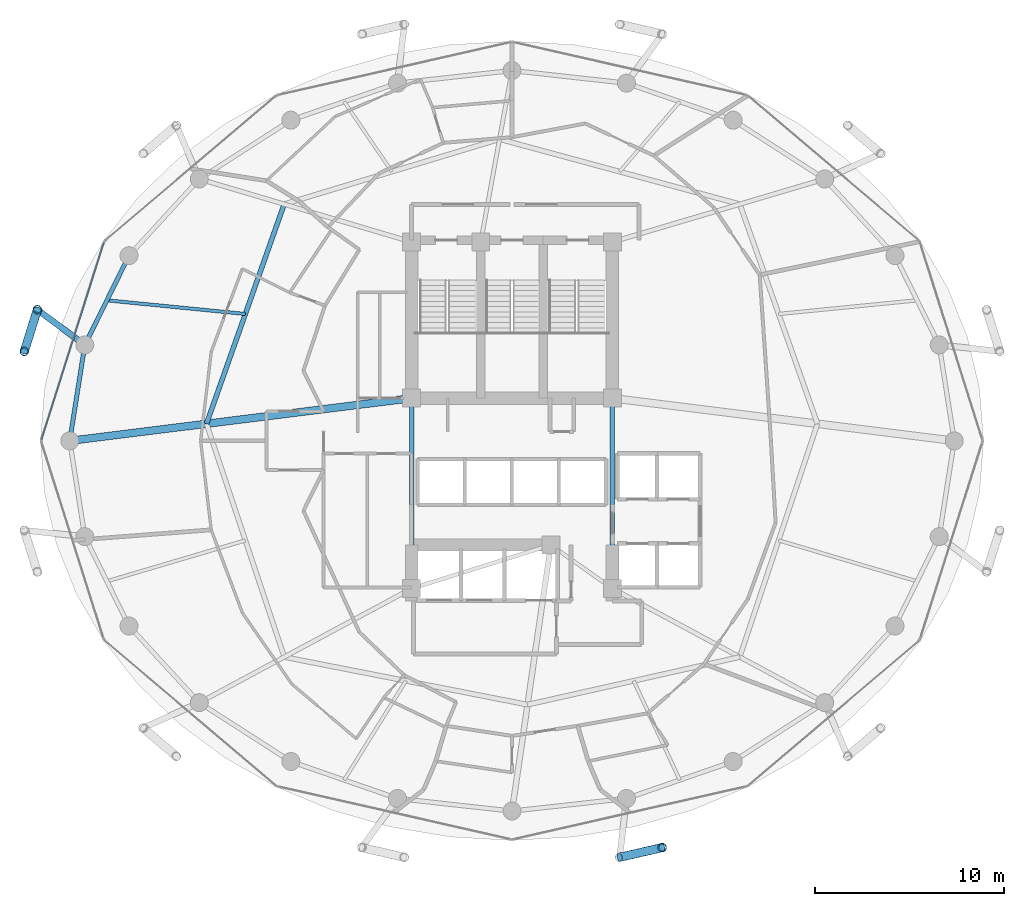
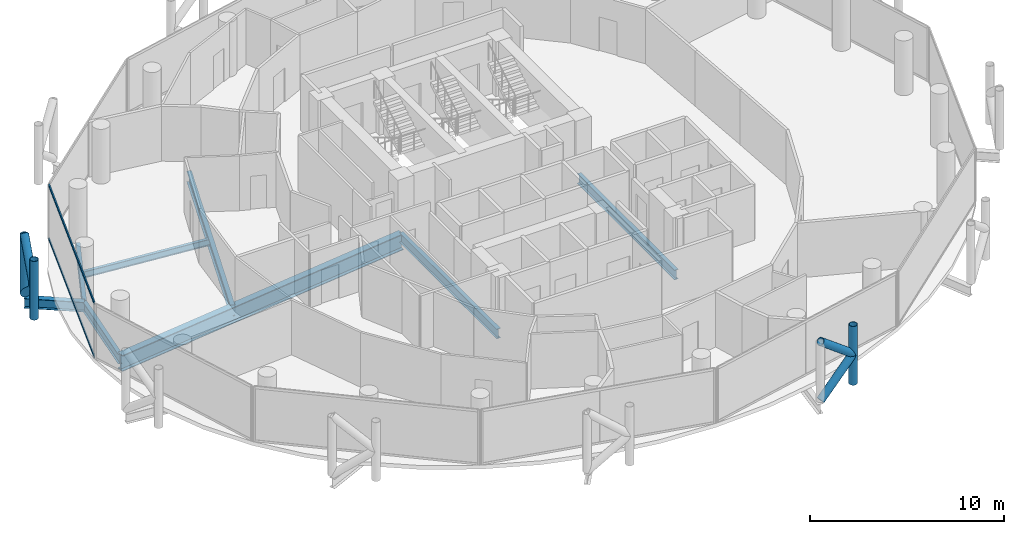
# One storey, part 7 of 26: 9 members, 8 beams, 1 element without a shape of its own.
"""IFC4 building model written with IfcOpenShell, lengths in metres."""

from ifc_helpers import new_model, si_unit, direction, frame, origin, origin_2d, place, context, subcontext, project, spatial, hollow_rectangle, hollow_circle, i_section, extrude, material, layer, layer_set, material_profile, profile_set, type_object, element, aggregate, save


model = new_model("IFC4")

# Units and contexts
model_context = context("Model", 3, precision=1e-05, world=origin(), true_north=direction((0.0, 1.0)))
body_context = subcontext(model_context, "Body", "Model", "MODEL_VIEW")
ifc_project = project(units=[si_unit("LENGTHUNIT", "METRE"), si_unit("AREAUNIT", "SQUARE_METRE"), si_unit("VOLUMEUNIT", "CUBIC_METRE"), si_unit("PLANEANGLEUNIT", "RADIAN"), si_unit("MASSUNIT", "GRAM", prefix="KILO")], contexts=[model_context])

# Site, building, storey
site_placement = place(None, origin())
site = spatial("IfcSite", under=ifc_project, at=site_placement, CompositionType="ELEMENT")
building_placement = place(site_placement, origin())
building = spatial("IfcBuilding", under=site, at=building_placement, Name="Nuhasar Tower", CompositionType="ELEMENT")
storey_placement = place(building_placement, frame((0.0, 0.0, 147.85009765625)))
storey = spatial("IfcBuildingStorey", under=building, at=storey_placement, Name="L35", CompositionType="ELEMENT", Elevation=147.85009765625)

# Beams
ifc_material_1 = material(Name="Steel S355", Category="steel")
ifc_material_profile_1 = material_profile(ifc_material_1, i_section(OverallWidth=0.25390625, OverallDepth=0.68408203125, WebThickness=0.012451171875, FlangeThickness=0.018798828125, at=origin_2d()), Name="W27X94")
ifc_profile_set_1 = profile_set([ifc_material_profile_1], Name="Steel S355")
beam_type_1 = type_object("IfcBeamType", Name="BM-INRING-W27X94", PredefinedType="BEAM", material=ifc_profile_set_1)
beam_1_placement = place(storey_placement, frame((26.972900390625, 39.2939453125, -0.592041015625), z_axis=(-0.333599821096, -0.942714781556, 0.0), x_axis=(0.942714781556, -0.333599821096, 0.0)))
element("IfcBeam", 1, at=beam_1_placement, inside=storey, type_object=beam_type_1, Name="L35 Inner Header Beam 07", PredefinedType="BEAM", context=body_context, shape_type="SweptSolid", body=[
    extrude(i_section(OverallWidth=0.25390625, OverallDepth=0.68408203125, WebThickness=0.012451171875, FlangeThickness=0.018798828125, at=origin_2d()), origin(), (0.0, 0.0, 1.0), 12.298583984375),
])
ifc_material_profile_2 = material_profile(ifc_material_1, i_section(OverallWidth=0.177978515625, OverallDepth=0.406005859375, WebThickness=0.0078125, FlangeThickness=0.0126953125, at=origin_2d()), Name="W16X40")
ifc_profile_set_2 = profile_set([ifc_material_profile_2], Name="Steel S355")
beam_type_2 = type_object("IfcBeamType", Name="BM-JST-W16X40", PredefinedType="JOIST", material=ifc_profile_set_2)
beam_2_placement = place(storey_placement, frame((24.922119140625, 33.4970703125, -0.453125), z_axis=(-0.995171845755, 0.098147834497, 0.0), x_axis=(-0.098147834497, -0.995171845755, 0.0)))
element("IfcBeam", 2, at=beam_2_placement, inside=storey, type_object=beam_type_2, Name="L35 Secondary Floor Joist 07", PredefinedType="JOIST", context=body_context, shape_type="SweptSolid", body=[
    extrude(i_section(OverallWidth=0.177978515625, OverallDepth=0.406005859375, WebThickness=0.0078125, FlangeThickness=0.0126953125, at=origin_2d()), origin(), (0.0, 0.0, 1.0), 7.345458984375),
])
ifc_material_profile_3 = material_profile(ifc_material_1, i_section(OverallWidth=0.22900390625, OverallDepth=0.612060546875, WebThickness=0.011962890625, FlangeThickness=0.01953125, at=origin_2d()), Name="W24X84")
ifc_profile_set_3 = profile_set([ifc_material_profile_3], Name="Steel S355")
beam_type_3 = type_object("IfcBeamType", Name="BM-RAD-W24X84", PredefinedType="BEAM", material=ifc_profile_set_3)
for number, where, z_axis, x_axis, name in (
    (3, (44.300048828125, 19.0, -0.55615234375), (0.0, 1.0, 0.0), (-1.0, 0.0, 0.0), "L35 Core Ring Girder 3"),
    (4, (33.699951171875, 29.050048828125, -0.55615234375), (0.0, -1.0, 0.0), (1.0, 0.0, 0.0), "L35 Core Ring Girder 8"),
):
    element("IfcBeam", number, at=place(storey_placement, frame(where, z_axis=z_axis, x_axis=x_axis)), inside=storey, type_object=beam_type_3, Name=name, PredefinedType="BEAM", context=body_context, shape_type="SweptSolid", body=[
        extrude(i_section(OverallWidth=0.22900390625, OverallDepth=0.612060546875, WebThickness=0.011962890625, FlangeThickness=0.01953125, at=origin_2d()), origin(), (0.0, 0.0, 1.0), 10.050048828125),
    ])
ifc_material_profile_4 = material_profile(ifc_material_1, i_section(OverallWidth=0.22998046875, OverallDepth=0.616943359375, WebThickness=0.01318359375, FlangeThickness=0.022216796875, at=origin_2d()), Name="W24X94")
ifc_profile_set_4 = profile_set([ifc_material_profile_4], Name="Steel S355")
beam_type_4 = type_object("IfcBeamType", Name="BM-RING-W24X94", PredefinedType="SPANDREL", material=ifc_profile_set_4)
beam_3_placement = place(storey_placement, frame((18.778076171875, 36.574951171875, -0.55908203125), z_axis=(-0.443347771709, -0.896349682501, 0.0), x_axis=(0.896349682501, -0.443347771709, 0.0)))
element("IfcBeam", 5, at=beam_3_placement, inside=storey, type_object=beam_type_4, Name="L35 Perimeter Ring Spandrel 11", PredefinedType="SPANDREL", context=body_context, shape_type="SweptSolid", body=[
    extrude(i_section(OverallWidth=0.22998046875, OverallDepth=0.616943359375, WebThickness=0.01318359375, FlangeThickness=0.022216796875, at=origin_2d()), origin(), (0.0, 0.0, 1.0), 5.260009765625),
])
beam_4_placement = place(storey_placement, frame((16.446044921875, 31.860107421875, -0.55908203125), z_axis=(-0.155426543608, -0.987847452566, 0.0), x_axis=(0.987847452566, -0.155426543608, 0.0)))
element("IfcBeam", 6, at=beam_4_placement, inside=storey, type_object=beam_type_4, Name="L35 Perimeter Ring Spandrel 12", PredefinedType="SPANDREL", context=body_context, shape_type="SweptSolid", body=[
    extrude(i_section(OverallWidth=0.22998046875, OverallDepth=0.616943359375, WebThickness=0.01318359375, FlangeThickness=0.022216796875, at=origin_2d()), origin(), (0.0, 0.0, 1.0), 5.122314453125),
])
ifc_material_profile_5 = material_profile(ifc_material_1, i_section(OverallWidth=0.323974609375, OverallDepth=0.611083984375, WebThickness=0.0126953125, FlangeThickness=0.01904296875, at=origin_2d()), Name="W24X104")
ifc_profile_set_5 = profile_set([ifc_material_profile_5], Name="Steel S355")
beam_type_5 = type_object("IfcBeamType", Name="BM-TIE-W24X104", PredefinedType="BEAM", material=ifc_profile_set_5)
beam_5_placement = place(storey_placement, frame((16.446044921875, 31.860107421875, -0.55615234375), z_axis=(-0.802872198291, 0.596151183183, 0.0), x_axis=(-0.596151183183, -0.802872198291, 0.0)))
element("IfcBeam", 7, at=beam_5_placement, inside=storey, type_object=beam_type_5, Name="L35 Exoskeleton Node Tie Beam 06", PredefinedType="BEAM", context=body_context, shape_type="SweptSolid", body=[
    extrude(i_section(OverallWidth=0.323974609375, OverallDepth=0.611083984375, WebThickness=0.0126953125, FlangeThickness=0.01904296875, at=origin_2d()), origin(), (0.0, 0.0, 1.0), 3.121337890625),
])
ifc_material_2 = material(Name="Steel S460", Category="steel")
ifc_material_profile_6 = material_profile(ifc_material_2, i_section(OverallWidth=0.40087890625, OverallDepth=1.010009765625, WebThickness=0.023681640625, FlangeThickness=0.0419921875, at=origin_2d()), Name="W40X297")
ifc_profile_set_6 = profile_set([ifc_material_profile_6], Name="Steel S460")
beam_type_6 = type_object("IfcBeamType", Name="BM-XFER-W40X297", PredefinedType="USERDEFINED", material=ifc_profile_set_6)
beam_6_placement = place(storey_placement, frame((33.699951171875, 29.050048828125, -0.755126953125), z_axis=(-0.992320149485, -0.123696082908, 0.0), x_axis=(0.123696082908, -0.992320149485, 0.0)))
element("IfcBeam", 8, at=beam_6_placement, inside=storey, type_object=beam_type_6, Name="L35 Radial Floor Girder 08", ObjectType="GIRDER", PredefinedType="USERDEFINED", context=body_context, shape_type="SweptSolid", body=[
    extrude(i_section(OverallWidth=0.40087890625, OverallDepth=1.010009765625, WebThickness=0.023681640625, FlangeThickness=0.0419921875, at=origin_2d()), origin(), (0.0, 0.0, 1.0), 18.189697265625),
])

# Curtain wall, members
ifc_material_3 = material(Name="Aluminium 6063-T6", Category="aluminium")
ifc_layer = layer(ifc_material_3, 0.199951171875)
ifc_layer_set = layer_set([ifc_layer], Name="Aluminium 6063-T6")
curtain_wall_type = type_object("IfcCurtainWallType", Name="CW-Z2-HTL", PredefinedType="NOTDEFINED", material=ifc_layer_set)
curtain_wall_placement = place(storey_placement, origin())
curtain_wall = element("IfcCurtainWall", 9, at=curtain_wall_placement, inside=storey, type_object=curtain_wall_type, Name="L35 Unitised Curtain Wall 06", PredefinedType="NOTDEFINED")
ifc_material_profile_7 = material_profile(ifc_material_3, hollow_rectangle(XDim=0.070068359375, YDim=0.159912109375, WallThickness=0.00439453125, at=origin_2d()), Name="CWT-3")
ifc_profile_set_7 = profile_set([ifc_material_profile_7], Name="Aluminium 6063-T6")
member_type_1 = type_object("IfcMemberType", Name="CW-TRN-S3", PredefinedType="USERDEFINED", material=ifc_profile_set_7)
member_1_placement = place(storey_placement, frame((17.449951171875, 37.26318359375, 0.034912109375), z_axis=(-0.301608163352, -0.953431967053, 0.0), x_axis=(0.953431967053, -0.301608163352, 0.0)))
member_1 = element("IfcMember", 10, at=member_1_placement, type_object=member_type_1, Name="CW-Z2 transom 1.1", ObjectType="TRANSOM", PredefinedType="USERDEFINED", context=body_context, shape_type="SweptSolid", body=[
    extrude(hollow_rectangle(XDim=0.070068359375, YDim=0.159912109375, WallThickness=0.00439453125, at=origin_2d()), origin(), (0.0, 0.0, 1.0), 10.904296875),
])
member_2_placement = place(storey_placement, frame((17.449951171875, 37.26318359375, 3.414794921875), z_axis=(-0.301608163352, -0.953431967053, 0.0), x_axis=(0.953431967053, -0.301608163352, 0.0)))
member_2 = element("IfcMember", 11, at=member_2_placement, type_object=member_type_1, Name="CW-Z2 transom 1.2", ObjectType="TRANSOM", PredefinedType="USERDEFINED", context=body_context, shape_type="SweptSolid", body=[
    extrude(hollow_rectangle(XDim=0.070068359375, YDim=0.159912109375, WallThickness=0.00439453125, at=origin_2d()), origin(), (0.0, 0.0, 1.0), 10.904296875),
])
aggregate(curtain_wall, [member_1, member_2])

# Members
ifc_material_profile_8 = material_profile(ifc_material_2, hollow_circle(Radius=0.228515625, WallThickness=0.022216796875, at=origin_2d()), Name="HSS457X22.2")
ifc_profile_set_8 = profile_set([ifc_material_profile_8], Name="Steel S460")
member_type_2 = type_object("IfcMemberType", Name="EXO-BRONZE-457", PredefinedType="BRACE", material=ifc_profile_set_8)
for number, where, z_axis, x_axis, name in (
    (12, (13.93994140625, 33.720947265625, 0.0), (0.0, 0.0, 1.0), (1.0, 0.0, 0.0), "L35 Exoskeleton Chord Column EC-06A"),
    (13, (13.251953125, 31.52587890625, 0.0), (0.0, 0.0, 1.0), (1.0, 0.0, 0.0), "L35 Exoskeleton Chord Column EC-06B"),
    (14, (46.927978515625, 5.323974609375, 0.0), (0.0, 0.0, 1.0), (1.0, 0.0, 0.0), "L35 Exoskeleton Chord Column EC-10B"),
):
    element("IfcMember", number, at=place(storey_placement, frame(where, z_axis=z_axis, x_axis=x_axis)), inside=storey, type_object=member_type_2, Name=name, PredefinedType="BRACE", context=body_context, shape_type="SweptSolid", body=[
        extrude(hollow_circle(Radius=0.228515625, WallThickness=0.022216796875, at=origin_2d()), origin(), (0.0, 0.0, 1.0), 3.699951171875),
    ])
member_3_placement = place(storey_placement, frame((13.93994140625, 33.720947265625, 0.0), z_axis=(-0.233067628236, -0.74361641074, 0.626669062861), x_axis=(0.954228474306, -0.29907861646, 0.0)))
element("IfcMember", 15, at=member_3_placement, inside=storey, type_object=member_type_2, Name="L35 Bronze Diagrid Brace W1-06", PredefinedType="BRACE", context=body_context, shape_type="SweptSolid", body=[
    extrude(hollow_circle(Radius=0.228515625, WallThickness=0.022216796875, at=origin_2d()), origin(), (0.0, 0.0, 1.0), 2.951904296875),
])
member_4_placement = place(storey_placement, frame((13.251953125, 31.52587890625, 1.849853515625), z_axis=(0.233055548538, 0.743577869731, 0.626719285599), x_axis=(-0.954228474306, 0.29907861646, 0.0)))
element("IfcMember", 16, at=member_4_placement, inside=storey, type_object=member_type_2, Name="L35 Bronze Diagrid Brace W2-06", PredefinedType="BRACE", context=body_context, shape_type="SweptSolid", body=[
    extrude(hollow_circle(Radius=0.228515625, WallThickness=0.022216796875, at=origin_2d()), origin(), (0.0, 0.0, 1.0), 2.9521484375),
])
member_5_placement = place(storey_placement, frame((44.68603515625, 4.81005859375, 0.0), z_axis=(0.759549860492, 0.174110035537, 0.626713415327), x_axis=(-0.223432882746, 0.974719316987, 0.0)))
element("IfcMember", 17, at=member_5_placement, inside=storey, type_object=member_type_2, Name="L35 Bronze Diagrid Brace W1-10", PredefinedType="BRACE", context=body_context, shape_type="SweptSolid", body=[
    extrude(hollow_circle(Radius=0.228515625, WallThickness=0.022216796875, at=origin_2d()), origin(), (0.0, 0.0, 1.0), 2.95166015625),
])
member_6_placement = place(storey_placement, frame((46.927978515625, 5.323974609375, 1.849853515625), z_axis=(-0.759510488094, -0.174101010284, 0.626763637022), x_axis=(0.223432882746, -0.974719316987, 0.0)))
element("IfcMember", 18, at=member_6_placement, inside=storey, type_object=member_type_2, Name="L35 Bronze Diagrid Brace W2-10", PredefinedType="BRACE", context=body_context, shape_type="SweptSolid", body=[
    extrude(hollow_circle(Radius=0.228515625, WallThickness=0.022216796875, at=origin_2d()), origin(), (0.0, 0.0, 1.0), 2.951904296875),
])

save(model, "model.ifc")
